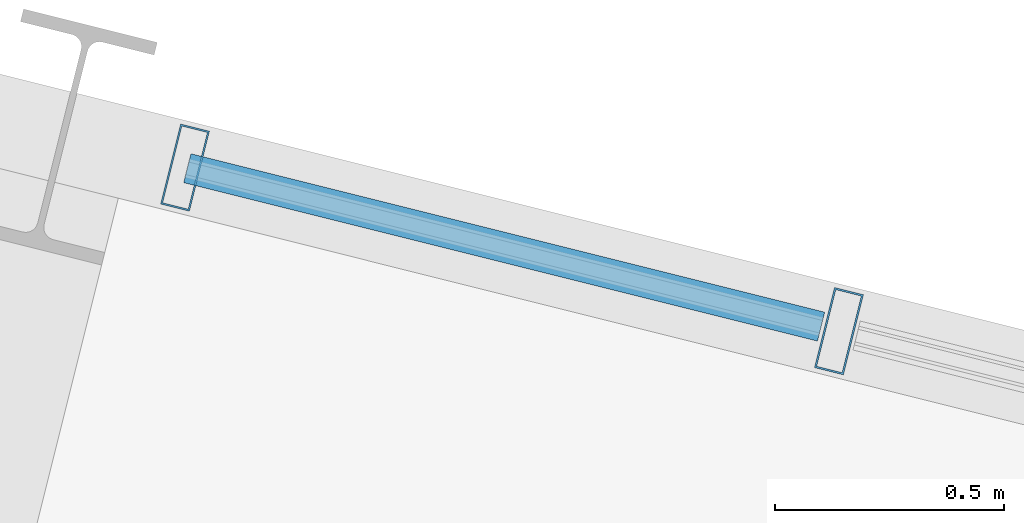
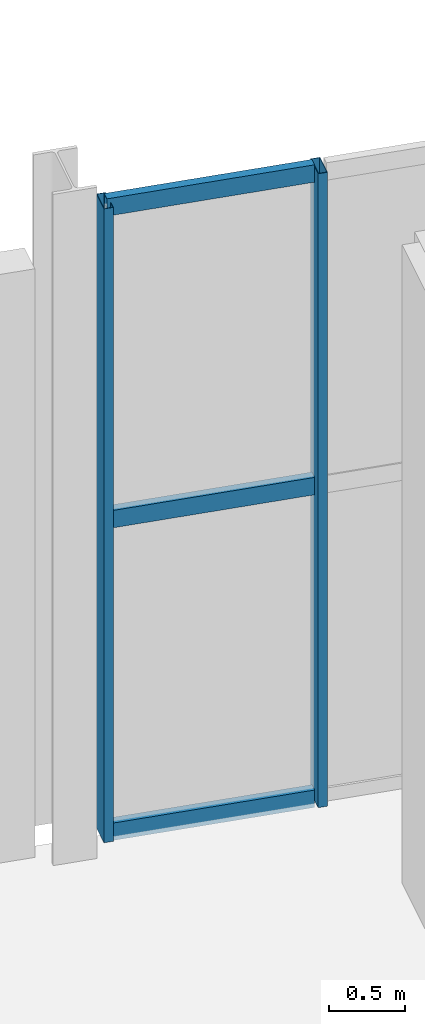
# One storey, part 77 of 158: 5 members, 1 element without a shape of its own.
"""IFC4 building model written with IfcOpenShell, lengths in metres."""

from ifc_helpers import new_model, si_unit, derived_unit, direction, frame, origin, origin_2d, place, context, subcontext, project, spatial, hollow_rectangle, extrude, material, material_profile, profile_set, type_object, element, aggregate, save


model = new_model("IFC4")

# Units and contexts
model_context = context("Model", 3, precision=1e-05, world=origin(), true_north=direction((0.0, 1.0)))
body_context = subcontext(model_context, "Body", "Model", "MODEL_VIEW")
ifc_project = project(units=[si_unit("LENGTHUNIT", "METRE"), si_unit("AREAUNIT", "SQUARE_METRE"), si_unit("VOLUMEUNIT", "CUBIC_METRE"), si_unit("PLANEANGLEUNIT", "RADIAN"), si_unit("MASSUNIT", "GRAM", prefix="KILO"), si_unit("THERMODYNAMICTEMPERATUREUNIT", "KELVIN"), si_unit("TIMEUNIT", "SECOND"), derived_unit("THERMALTRANSMITTANCEUNIT", [(si_unit("MASSUNIT", "GRAM", prefix="KILO"), 1), (si_unit("THERMODYNAMICTEMPERATUREUNIT", "KELVIN"), -1), (si_unit("TIMEUNIT", "SECOND"), -3)])], contexts=[model_context])

# Site, building, storey
site_placement = place(None, origin())
site = spatial("IfcSite", under=ifc_project, at=site_placement, CompositionType="ELEMENT")
building_placement = place(site_placement, origin())
building = spatial("IfcBuilding", under=site, at=building_placement, Name="Cambertide Market Hall", CompositionType="ELEMENT")
storey_placement = place(building_placement, origin())
storey = spatial("IfcBuildingStorey", under=building, at=storey_placement, Name="L01", CompositionType="ELEMENT", Elevation=0.0)

# Curtain wall, members
ifc_material_1 = material(Name="Marine Anodized Aluminium 6063-T6 AA25", Category="aluminium")
curtain_wall_type = type_object("IfcCurtainWallType", Name="Cooking School Ground Showcase Wall", PredefinedType="USERDEFINED", material=ifc_material_1)
curtain_wall_placement = place(storey_placement, origin())
curtain_wall = element("IfcCurtainWall", 1, at=curtain_wall_placement, inside=storey, type_object=curtain_wall_type, Name="Level 1 Curtain Wall CW-V4N-L01-4", ObjectType="UNITIZED CURTAIN WALL", PredefinedType="USERDEFINED")
ifc_material_2 = material(Name="Champagne Marine Anodized Aluminium 6063-T6 AA25", Category="aluminium")
ifc_material_profile_1 = material_profile(ifc_material_2, hollow_rectangle(XDim=0.06494140625, YDim=0.179931640625, WallThickness=0.00390625, at=origin_2d()), Name="ALU MULLION 65x180")
ifc_profile_set_1 = profile_set([ifc_material_profile_1], Name="Champagne Marine Anodized Aluminium 6063-T6 AA25")
member_type_1 = type_object("IfcMemberType", Name="Curtain Wall Mullion ALU MULLION 65x180", PredefinedType="MULLION", material=ifc_profile_set_1)
member_1_placement = place(storey_placement, frame((138.0986328125, 120.306396484375, 0.0), z_axis=(0.0, 0.0, 1.0), x_axis=(0.970142500145, -0.242535625038, 0.0)))
member_1 = element("IfcMember", 2, at=member_1_placement, type_object=member_type_1, Name="CW-V4N-L01-4 Mullion 1", PredefinedType="MULLION", context=body_context, shape_type="SweptSolid", body=[
    extrude(hollow_rectangle(XDim=0.06494140625, YDim=0.179931640625, WallThickness=0.00390625, at=origin_2d()), origin(), (0.0, 0.0, 1.0), 5.10009765625),
])
member_2_placement = place(storey_placement, frame((139.52392578125, 119.949951171875, 0.0), z_axis=(0.0, 0.0, 1.0), x_axis=(0.970142500145, -0.242535625038, 0.0)))
member_2 = element("IfcMember", 3, at=member_2_placement, type_object=member_type_1, Name="CW-V4N-L01-4 Mullion 2", PredefinedType="MULLION", context=body_context, shape_type="SweptSolid", body=[
    extrude(hollow_rectangle(XDim=0.06494140625, YDim=0.179931640625, WallThickness=0.00390625, at=origin_2d()), origin(), (0.0, 0.0, 1.0), 5.10009765625),
])
ifc_material_3 = material(Name="Champagne Marine Anodized Aluminium 6063-T6 AA25", Category="aluminium")
ifc_material_profile_2 = material_profile(ifc_material_3, hollow_rectangle(XDim=0.06494140625, YDim=0.139892578125, WallThickness=0.00341796875, at=origin_2d()), Name="ALU TRANSOM 65x140")
ifc_profile_set_2 = profile_set([ifc_material_profile_2], Name="Champagne Marine Anodized Aluminium 6063-T6 AA25")
member_type_2 = type_object("IfcMemberType", Name="Curtain Wall Transom ALU TRANSOM 65x140", PredefinedType="USERDEFINED", material=ifc_profile_set_2)
member_3_placement = place(storey_placement, frame((138.103515625, 120.30517578125, 0.034912109375), z_axis=(0.970132415085, -0.242575961715, 0.0), x_axis=(0.242575961715, 0.970132415085, 0.0)))
member_3 = element("IfcMember", 4, at=member_3_placement, type_object=member_type_2, Name="CW-V4N-L01-4 Transom 1-1", ObjectType="TRANSOM", PredefinedType="USERDEFINED", context=body_context, shape_type="SweptSolid", body=[
    extrude(hollow_rectangle(XDim=0.06494140625, YDim=0.139892578125, WallThickness=0.00341796875, at=origin_2d()), origin(), (0.0, 0.0, 1.0), 1.424072265625),
])
member_4_placement = place(storey_placement, frame((138.103515625, 120.30517578125, 2.550048828125), z_axis=(0.970132415085, -0.242575961715, 0.0), x_axis=(0.242575961715, 0.970132415085, 0.0)))
member_4 = element("IfcMember", 5, at=member_4_placement, type_object=member_type_2, Name="CW-V4N-L01-4 Transom 2-1", ObjectType="TRANSOM", PredefinedType="USERDEFINED", context=body_context, shape_type="SweptSolid", body=[
    extrude(hollow_rectangle(XDim=0.06494140625, YDim=0.139892578125, WallThickness=0.00341796875, at=origin_2d()), origin(), (0.0, 0.0, 1.0), 1.424072265625),
])
member_5_placement = place(storey_placement, frame((138.103515625, 120.30517578125, 5.06494140625), z_axis=(0.970132415085, -0.242575961715, 0.0), x_axis=(0.242575961715, 0.970132415085, 0.0)))
member_5 = element("IfcMember", 6, at=member_5_placement, type_object=member_type_2, Name="CW-V4N-L01-4 Transom 3-1", ObjectType="TRANSOM", PredefinedType="USERDEFINED", context=body_context, shape_type="SweptSolid", body=[
    extrude(hollow_rectangle(XDim=0.06494140625, YDim=0.139892578125, WallThickness=0.00341796875, at=origin_2d()), origin(), (0.0, 0.0, 1.0), 1.424072265625),
])
aggregate(curtain_wall, [member_1, member_2, member_3, member_4, member_5])

save(model, "model.ifc")
